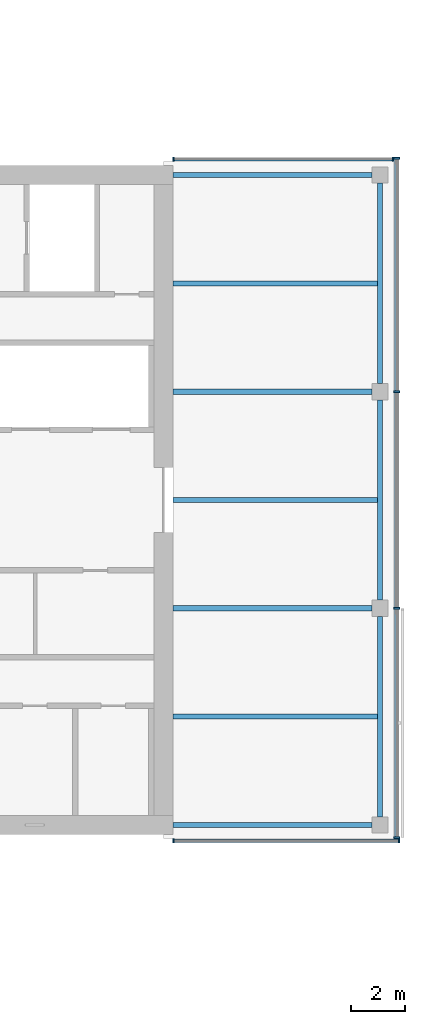
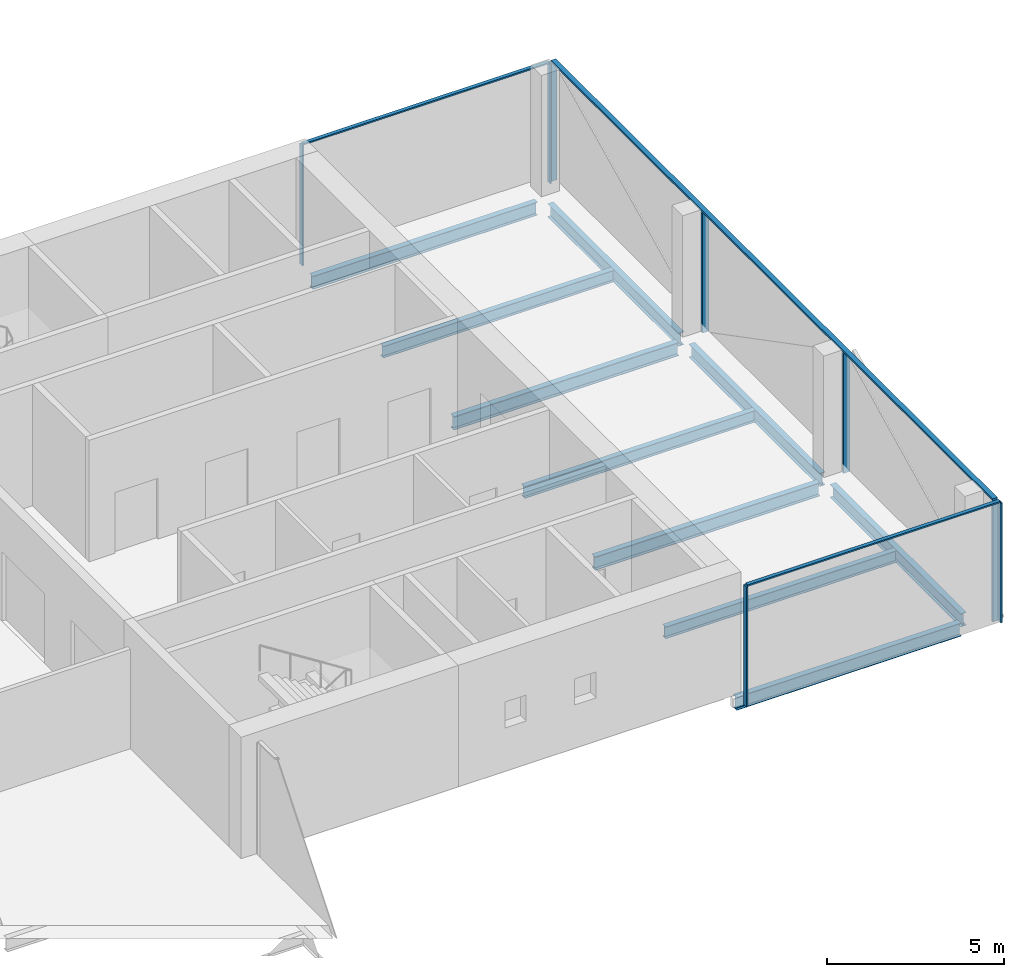
# One storey, part 11 of 22: 11 members, 10 beams, 3 elements without a shape of their own.
"""IFC4 building model written with IfcOpenShell, lengths in metres."""

import ifcopenshell
import ifcopenshell.guid

model = None  # the IFC model being written
_history = None  # IfcOwnerHistory: only IFC2X3 demands one
_inside = {}  # id of a spatial element -> (the spatial element, [elements in it])
_under = {}  # id of a project, library or spatial element -> (it, [spatial elements below it])
_declared = {}  # id of a project -> (the project, [libraries it declares])
_typed = {}  # id of a type object -> (the type object, [elements of that type])
_made_of = {}  # id of a material, layer set ... -> (it, [elements and type objects made of it])


def new_model(schema):
    """Start an empty IFC model of exactly this schema.

    Asked for "IFC4X3", IfcOpenShell would pick the latest addendum, in which some entities
    have other attributes; the version numbers below select the first issue.
    IFC2X3 requires an IfcOwnerHistory on every rooted entity: one is made here for all.
    """
    global model, _history
    if schema == "IFC4X3":
        model = ifcopenshell.file(schema_version=(4, 3, 0, 0))
    else:
        model = ifcopenshell.file(schema=schema)
    _inside.clear()
    _under.clear()
    _declared.clear()
    _typed.clear()
    _made_of.clear()
    _history = None
    if model.schema == "IFC2X3":
        org = make("IfcOrganization", Name="unknown")
        user = make(
            "IfcPersonAndOrganization",
            ThePerson=make("IfcPerson", FamilyName="unknown"),
            TheOrganization=org,
        )
        app = make(
            "IfcApplication",
            ApplicationDeveloper=org,
            Version="unknown",
            ApplicationFullName="unknown",
            ApplicationIdentifier="unknown",
        )
        _history = make(
            "IfcOwnerHistory",
            OwningUser=user,
            OwningApplication=app,
            ChangeAction="ADDED",
            CreationDate=0,
        )
    return model


def make(cls, **values):
    """One entity of the class cls with the attributes given. An attribute that is None is left unset."""
    return model.create_entity(
        cls, **{name: value for name, value in values.items() if value is not None}
    )


def rooted(cls, **values):
    """An entity with a GlobalId (a new one), such as an element, a storey or a relation."""
    return make(cls, GlobalId=ifcopenshell.guid.new(), OwnerHistory=_history, **values)


def si_unit(unit_type, name, prefix=None):
    """IfcSIUnit, for example si_unit("LENGTHUNIT", "METRE", prefix="MILLI")."""
    return make("IfcSIUnit", UnitType=unit_type, Prefix=prefix, Name=name)


def assignment(units):
    """IfcUnitAssignment: the units of a project."""
    return None if units is None else make("IfcUnitAssignment", Units=units)


def point(xyz):
    """IfcCartesianPoint."""
    return None if xyz is None else make("IfcCartesianPoint", Coordinates=xyz)


def direction(xyz):
    """IfcDirection."""
    return None if xyz is None else make("IfcDirection", DirectionRatios=xyz)


def frame(location, z_axis=None, x_axis=None):
    """IfcAxis2Placement3D, a coordinate frame: its origin and axes. An axis left out is left unset."""
    return make(
        "IfcAxis2Placement3D",
        Location=point(location),
        Axis=direction(z_axis),
        RefDirection=direction(x_axis),
    )


def frame_2d(location, x_axis=None):
    """IfcAxis2Placement2D, a coordinate frame in the plane: its origin and x axis."""
    return make(
        "IfcAxis2Placement2D", Location=point(location), RefDirection=direction(x_axis)
    )


def origin():
    """The frame at (0, 0, 0) with its axes left unset."""
    return frame((0.0, 0.0, 0.0))


def origin_2d():
    """The frame at (0, 0) in the plane with its x axis left unset."""
    return frame_2d((0.0, 0.0))


def place(relative_to, where):
    """IfcLocalPlacement: puts the frame where relative to a parent placement (None: the world)."""
    return make(
        "IfcLocalPlacement", PlacementRelTo=relative_to, RelativePlacement=where
    )


def context(
    kind, dimensions, precision=None, world=None, true_north=None, identifier=None
):
    """IfcGeometricRepresentationContext, for example the 3D "Model" context."""
    return make(
        "IfcGeometricRepresentationContext",
        ContextIdentifier=identifier,
        ContextType=kind,
        CoordinateSpaceDimension=dimensions,
        Precision=precision,
        WorldCoordinateSystem=world,
        TrueNorth=true_north,
    )


def subcontext(parent, identifier, kind, view, scale=None):
    """IfcGeometricRepresentationSubContext, for example "Body" below "Model"."""
    return make(
        "IfcGeometricRepresentationSubContext",
        ContextIdentifier=identifier,
        ContextType=kind,
        ParentContext=parent,
        TargetScale=scale,
        TargetView=view,
    )


def project(units=None, contexts=None):
    """IfcProject with its units and contexts."""
    return rooted(
        "IfcProject",
        Name="project",
        RepresentationContexts=contexts,
        UnitsInContext=assignment(units),
    )


def spatial(cls, under=None, at=None, **own):
    """A site, building, storey or space (cls), placed at a placement, below another one or the project."""
    s = rooted(cls, ObjectPlacement=at, **own)
    if under is not None:
        _under.setdefault(under.id(), (under, []))[1].append(s)
    return s


def profile(cls, at=None, kind="AREA", **sizes):
    """A parametric profile (cls). Its sizes go by their IFC names, for example OverallWidth=200.0."""
    return make(cls, ProfileType=kind, Position=at, **sizes)


def rectangle(**sizes):
    """IfcRectangleProfileDef."""
    return profile("IfcRectangleProfileDef", **sizes)


def i_section(**sizes):
    """IfcIShapeProfileDef."""
    return profile("IfcIShapeProfileDef", **sizes)


def extrude(swept, where, along, depth):
    """IfcExtrudedAreaSolid: the profile swept, set in the frame where, extruded along a direction by depth."""
    return make(
        "IfcExtrudedAreaSolid",
        SweptArea=swept,
        Position=where,
        ExtrudedDirection=direction(along),
        Depth=depth,
    )


def shape(context_of_items, identifier, shape_type, items):
    """IfcShapeRepresentation: the items that make up one representation, for example the "Body"."""
    return make(
        "IfcShapeRepresentation",
        ContextOfItems=context_of_items,
        RepresentationIdentifier=identifier,
        RepresentationType=shape_type,
        Items=items,
    )


def material(Name=None, Category=None):
    """IfcMaterial."""
    return make("IfcMaterial", Name=Name, Category=Category)


def material_profile(
    of_material, cross_section, Name=None, Category=None, Priority=None
):
    """IfcMaterialProfile: a cross section and its material."""
    return make(
        "IfcMaterialProfile",
        Name=Name,
        Material=of_material,
        Profile=cross_section,
        Priority=Priority,
        Category=Category,
    )


def profile_set(profiles, Name=None, composite=None):
    """IfcMaterialProfileSet."""
    return make(
        "IfcMaterialProfileSet",
        Name=Name,
        MaterialProfiles=profiles,
        CompositeProfile=composite,
    )


def made_of(thing, what):
    """Note that an element or type object is made of a material, layer set ...; save() writes the relation."""
    if what is not None:
        _made_of.setdefault(what.id(), (what, []))[1].append(thing)
    return thing


def type_object(cls, material=None, **own):
    """A type object (cls), such as IfcWallType, which elements share."""
    return made_of(rooted(cls, **own), material)


def element(
    cls,
    number,
    at=None,
    inside=None,
    cuts=None,
    type_object=None,
    material=None,
    context=None,
    identifier="Body",
    shape_type=None,
    held_by="IfcProductDefinitionShape",
    body=None,
    shapes=None,
    **own,
):
    """One element of the class cls, such as IfcWall. Its Tag is "e" and its number.

    at: its placement. inside: the storey or other place that contains it. cuts: it is an
    opening in that element (IfcRelVoidsElement). A single representation is given by context,
    identifier, shape_type and body (its items); several are given by shapes. held_by: the class
    of the entity that holds the representations. save() writes the other relations.
    """
    e = rooted(cls, Tag="e%d" % number, ObjectPlacement=at, **own)
    if body is not None:
        shapes = [shape(context, identifier, shape_type, body)]
    if shapes is not None:
        e.Representation = make(held_by, Representations=shapes)
    if inside is not None:
        _inside.setdefault(inside.id(), (inside, []))[1].append(e)
    if cuts is not None:
        rooted(
            "IfcRelVoidsElement", RelatingBuildingElement=cuts, RelatedOpeningElement=e
        )
    if type_object is not None:
        _typed.setdefault(type_object.id(), (type_object, []))[1].append(e)
    return made_of(e, material)


def aggregate(whole, parts):
    """IfcRelAggregates: a whole, such as a stair, and the parts it consists of."""
    return rooted("IfcRelAggregates", RelatingObject=whole, RelatedObjects=parts)


def save(model, path):
    """Write the relations noted so far, then the file.

    IfcRelAggregates (storeys below a building ...), IfcRelContainedInSpatialStructure (elements
    in a storey), IfcRelDefinesByType, IfcRelAssociatesMaterial and IfcRelDeclares: one each for
    every whole, place, type object, material and project.
    """
    for whole, parts in _under.values():
        aggregate(whole, parts)
    for where, things in _inside.values():
        rooted(
            "IfcRelContainedInSpatialStructure",
            RelatedElements=things,
            RelatingStructure=where,
        )
    for kind, things in _typed.values():
        rooted("IfcRelDefinesByType", RelatedObjects=things, RelatingType=kind)
    for what, things in _made_of.values():
        rooted("IfcRelAssociatesMaterial", RelatedObjects=things, RelatingMaterial=what)
    for by, libraries in _declared.values():
        rooted("IfcRelDeclares", RelatingContext=by, RelatedDefinitions=libraries)
    model.write(path)


model = new_model("IFC4")

# Units and contexts
model_context = context("Model", 3, precision=1e-05, world=origin(), true_north=direction((0.0, 1.0)))
body_context = subcontext(model_context, "Body", "Model", "MODEL_VIEW")
ifc_project = project(units=[si_unit("LENGTHUNIT", "METRE"), si_unit("AREAUNIT", "SQUARE_METRE"), si_unit("VOLUMEUNIT", "CUBIC_METRE"), si_unit("PLANEANGLEUNIT", "RADIAN"), si_unit("MASSUNIT", "GRAM", prefix="KILO")], contexts=[model_context])

# Site, building, storey
site_placement = place(None, origin())
site = spatial("IfcSite", under=ifc_project, at=site_placement, CompositionType="ELEMENT")
building_placement = place(site_placement, origin())
building = spatial("IfcBuilding", under=site, at=building_placement, Name="Crosswind Convention Tower", CompositionType="ELEMENT")
storey_placement = place(building_placement, frame((0.0, 0.0, 154.699951171875)))
storey = spatial("IfcBuildingStorey", under=building, at=storey_placement, Name="L32", CompositionType="ELEMENT", Elevation=154.699951171875)

# Beams
ifc_material_1 = material(Name="Steel S355", Category="steel")
ifc_material_profile_1 = material_profile(ifc_material_1, i_section(OverallWidth=0.18994140625, OverallDepth=0.45361328125, WebThickness=0.008544921875, FlangeThickness=0.0126953125, FilletRadius=0.01025390625, at=origin_2d()), Name="UB 457x191x67")
ifc_profile_set_1 = profile_set([ifc_material_profile_1], Name="Steel S355")
beam_type_1 = type_object("IfcBeamType", Name="Edge beam UB 457x191x67", PredefinedType="SPANDREL", material=ifc_profile_set_1)
for number, where, z_axis, x_axis, name in (
    (1, (153.35009765625, 88.0, -0.52685546875), (1.0, 0.0, 0.0), (0.0, 1.0, 0.0), "B16 L32 edge beam 20"),
    (2, (153.35009765625, 112.0, -0.52685546875), (1.0, 0.0, 0.0), (0.0, 1.0, 0.0), "B16 L32 edge beam 21"),
):
    element("IfcBeam", number, at=place(storey_placement, frame(where, z_axis=z_axis, x_axis=x_axis)), inside=storey, type_object=beam_type_1, Name=name, PredefinedType="SPANDREL", context=body_context, shape_type="SweptSolid", body=[
        extrude(i_section(OverallWidth=0.18994140625, OverallDepth=0.45361328125, WebThickness=0.008544921875, FlangeThickness=0.0126953125, FilletRadius=0.01025390625, at=origin_2d()), origin(), (0.0, 0.0, 1.0), 7.349853515625),
    ])
for number, where, z_axis, x_axis, name in (
    (3, (161.0, 88.300048828125, -0.52685546875), (0.0, 1.0, 0.0), (-1.0, 0.0, 0.0), "B16 L32 edge beam 22"),
    (4, (161.0, 96.300048828125, -0.52685546875), (0.0, 1.0, 0.0), (-1.0, 0.0, 0.0), "B16 L32 edge beam 23"),
    (5, (161.0, 104.300048828125, -0.52685546875), (0.0, 1.0, 0.0), (-1.0, 0.0, 0.0), "B16 L32 edge beam 24"),
):
    element("IfcBeam", number, at=place(storey_placement, frame(where, z_axis=z_axis, x_axis=x_axis)), inside=storey, type_object=beam_type_1, Name=name, PredefinedType="SPANDREL", context=body_context, shape_type="SweptSolid", body=[
        extrude(i_section(OverallWidth=0.18994140625, OverallDepth=0.45361328125, WebThickness=0.008544921875, FlangeThickness=0.0126953125, FilletRadius=0.01025390625, at=origin_2d()), origin(), (0.0, 0.0, 1.0), 7.39990234375),
    ])
ifc_material_profile_2 = material_profile(ifc_material_1, i_section(OverallWidth=0.19189453125, OverallDepth=0.463623046875, WebThickness=0.010498046875, FlangeThickness=0.017578125, FilletRadius=0.01025390625, at=origin_2d()), Name="UB 457x191x90")
ifc_profile_set_2 = profile_set([ifc_material_profile_2], Name="Steel S355")
beam_type_2 = type_object("IfcBeamType", Name="Girder at core wall UB 457x191x90", PredefinedType="BEAM", material=ifc_profile_set_2)
for number, where, z_axis, x_axis, name in (
    (6, (153.35009765625, 96.0, -0.53173828125), (1.0, 0.0, 0.0), (0.0, 1.0, 0.0), "B24 L32 girder at core wall 11"),
    (7, (153.35009765625, 104.0, -0.53173828125), (1.0, 0.0, 0.0), (0.0, 1.0, 0.0), "B24 L32 girder at core wall 12"),
):
    element("IfcBeam", number, at=place(storey_placement, frame(where, z_axis=z_axis, x_axis=x_axis)), inside=storey, type_object=beam_type_2, Name=name, PredefinedType="BEAM", context=body_context, shape_type="SweptSolid", body=[
        extrude(i_section(OverallWidth=0.19189453125, OverallDepth=0.463623046875, WebThickness=0.010498046875, FlangeThickness=0.017578125, FilletRadius=0.01025390625, at=origin_2d()), origin(), (0.0, 0.0, 1.0), 7.349853515625),
    ])

# Curtain wall, members
ifc_material_2 = material(Name="Aluminium unitised curtain wall", Category="aluminium")
curtain_wall_type_1 = type_object("IfcCurtainWallType", Name="CORE END SLOT WALL 160", PredefinedType="USERDEFINED", material=ifc_material_2)
curtain_wall_1_placement = place(storey_placement, origin())
curtain_wall_1 = element("IfcCurtainWall", 8, at=curtain_wall_1_placement, inside=storey, type_object=curtain_wall_type_1, Name="CW6 L32 E-N.1-1 slot", ObjectType="UNITISED", PredefinedType="USERDEFINED")
ifc_material_3 = material(Name="Aluminium mullion", Category="aluminium")
ifc_material_profile_3 = material_profile(ifc_material_3, rectangle(XDim=0.159912109375, YDim=0.050048828125, at=origin_2d()), Name="AL 160X50")
ifc_profile_set_3 = profile_set([ifc_material_profile_3], Name="Aluminium mullion")
member_type_1 = type_object("IfcMemberType", Name="MULLION 50X160", PredefinedType="MULLION", material=ifc_profile_set_3)
member_1_placement = place(storey_placement, frame((161.47509765625, 112.580078125, -0.300048828125), z_axis=(0.0, 0.0, 1.0), x_axis=(0.0, 1.0, 0.0)))
member_1 = element("IfcMember", 9, at=member_1_placement, type_object=member_type_1, Name="CW6 mullion 1", PredefinedType="MULLION", context=body_context, shape_type="SweptSolid", body=[
    extrude(rectangle(XDim=0.159912109375, YDim=0.050048828125, at=origin_2d()), origin(), (0.0, 0.0, 1.0), 4.150146484375),
])
member_2_placement = place(storey_placement, frame((153.375, 112.580078125, -0.300048828125), z_axis=(0.0, 0.0, 1.0), x_axis=(0.0, 1.0, 0.0)))
member_2 = element("IfcMember", 10, at=member_2_placement, type_object=member_type_1, Name="CW6 mullion 2", PredefinedType="MULLION", context=body_context, shape_type="SweptSolid", body=[
    extrude(rectangle(XDim=0.159912109375, YDim=0.050048828125, at=origin_2d()), origin(), (0.0, 0.0, 1.0), 4.150146484375),
])

curtain_wall_2_placement = place(storey_placement, origin())
curtain_wall_2 = element("IfcCurtainWall", 11, at=curtain_wall_2_placement, inside=storey, type_object=curtain_wall_type_1, Name="CW6 L32 E-S.2-1 slot", ObjectType="UNITISED", PredefinedType="USERDEFINED")
member_3_placement = place(storey_placement, frame((153.375, 87.419921875, -0.300048828125), z_axis=(0.0, 0.0, 1.0), x_axis=(0.0, -1.0, 0.0)))
member_3 = element("IfcMember", 12, at=member_3_placement, type_object=member_type_1, Name="CW6 mullion 1", PredefinedType="MULLION", context=body_context, shape_type="SweptSolid", body=[
    extrude(rectangle(XDim=0.159912109375, YDim=0.050048828125, at=origin_2d()), origin(), (0.0, 0.0, 1.0), 4.150146484375),
])
member_4_placement = place(storey_placement, frame((161.695068359375, 87.419921875, -0.300048828125), z_axis=(0.0, 0.0, 1.0), x_axis=(0.0, -1.0, 0.0)))
member_4 = element("IfcMember", 13, at=member_4_placement, type_object=member_type_1, Name="CW6 mullion 2", PredefinedType="MULLION", context=body_context, shape_type="SweptSolid", body=[
    extrude(rectangle(XDim=0.159912109375, YDim=0.050048828125, at=origin_2d()), origin(), (0.0, 0.0, 1.0), 4.150146484375),
])

curtain_wall_type_2 = type_object("IfcCurtainWallType", Name="OFFICE UNITISED WALL 220", PredefinedType="USERDEFINED", material=ifc_material_2)
curtain_wall_3_placement = place(storey_placement, origin())
curtain_wall_3 = element("IfcCurtainWall", 14, at=curtain_wall_3_placement, inside=storey, type_object=curtain_wall_type_2, Name="CW3 L32 E-TIP 1", ObjectType="UNITISED", PredefinedType="USERDEFINED")
ifc_material_profile_4 = material_profile(ifc_material_3, rectangle(XDim=0.219970703125, YDim=0.070068359375, at=origin_2d()), Name="AL 220X70")
ifc_profile_set_4 = profile_set([ifc_material_profile_4], Name="Aluminium mullion")
member_type_2 = type_object("IfcMemberType", Name="MULLION 70X220", PredefinedType="MULLION", material=ifc_profile_set_4)
member_5_placement = place(storey_placement, frame((161.610107421875, 87.534912109375, -0.300048828125), z_axis=(0.0, 0.0, 1.0), x_axis=(1.0, 0.0, 0.0)))
member_5 = element("IfcMember", 15, at=member_5_placement, type_object=member_type_2, Name="CW3 mullion 1", PredefinedType="MULLION", context=body_context, shape_type="SweptSolid", body=[
    extrude(rectangle(XDim=0.219970703125, YDim=0.070068359375, at=origin_2d()), origin(), (0.0, 0.0, 1.0), 4.130126953125),
])
member_6_placement = place(storey_placement, frame((161.610107421875, 96.0, -0.300048828125), z_axis=(0.0, 0.0, 1.0), x_axis=(1.0, 0.0, 0.0)))
member_6 = element("IfcMember", 16, at=member_6_placement, type_object=member_type_2, Name="CW3 mullion 2", PredefinedType="MULLION", context=body_context, shape_type="SweptSolid", body=[
    extrude(rectangle(XDim=0.219970703125, YDim=0.070068359375, at=origin_2d()), origin(), (0.0, 0.0, 1.0), 4.130126953125),
])
member_7_placement = place(storey_placement, frame((161.610107421875, 104.0, -0.300048828125), z_axis=(0.0, 0.0, 1.0), x_axis=(1.0, 0.0, 0.0)))
member_7 = element("IfcMember", 17, at=member_7_placement, type_object=member_type_2, Name="CW3 mullion 3", PredefinedType="MULLION", context=body_context, shape_type="SweptSolid", body=[
    extrude(rectangle(XDim=0.219970703125, YDim=0.070068359375, at=origin_2d()), origin(), (0.0, 0.0, 1.0), 4.130126953125),
])
member_8_placement = place(storey_placement, frame((161.610107421875, 112.625, -0.300048828125), z_axis=(0.0, 0.0, 1.0), x_axis=(1.0, 0.0, 0.0)))
member_8 = element("IfcMember", 18, at=member_8_placement, type_object=member_type_2, Name="CW3 mullion 4", PredefinedType="MULLION", context=body_context, shape_type="SweptSolid", body=[
    extrude(rectangle(XDim=0.219970703125, YDim=0.070068359375, at=origin_2d()), origin(), (0.0, 0.0, 1.0), 4.130126953125),
])

# Beams
ifc_material_profile_5 = material_profile(ifc_material_1, i_section(OverallWidth=0.177734375, OverallDepth=0.406494140625, WebThickness=0.0078125, FlangeThickness=0.0126953125, FilletRadius=0.01025390625, at=origin_2d()), Name="UB 406x178x60")
ifc_profile_set_5 = profile_set([ifc_material_profile_5], Name="Steel S355")
beam_type_3 = type_object("IfcBeamType", Name="Secondary beam UB 406x178x60", PredefinedType="JOIST", material=ifc_profile_set_5)
for number, where, z_axis, x_axis, name in (
    (19, (153.35009765625, 92.0, -0.503173828125), (1.0, 0.0, 0.0), (0.0, 1.0, 0.0), "B10 L32 secondary beam 25"),
    (20, (153.35009765625, 100.0, -0.503173828125), (1.0, 0.0, 0.0), (0.0, 1.0, 0.0), "B10 L32 secondary beam 26"),
    (21, (153.35009765625, 108.0, -0.503173828125), (1.0, 0.0, 0.0), (0.0, 1.0, 0.0), "B10 L32 secondary beam 27"),
):
    element("IfcBeam", number, at=place(storey_placement, frame(where, z_axis=z_axis, x_axis=x_axis)), inside=storey, type_object=beam_type_3, Name=name, PredefinedType="JOIST", context=body_context, shape_type="SweptSolid", body=[
        extrude(i_section(OverallWidth=0.177734375, OverallDepth=0.406494140625, WebThickness=0.0078125, FlangeThickness=0.0126953125, FilletRadius=0.01025390625, at=origin_2d()), origin(), (0.0, 0.0, 1.0), 7.554931640625),
    ])

# Member
ifc_material_4 = material(Name="Aluminium transom", Category="aluminium")
ifc_material_profile_6 = material_profile(ifc_material_4, rectangle(XDim=0.1201171875, YDim=0.050048828125, at=origin_2d()), Name="AL 120X50")
ifc_profile_set_6 = profile_set([ifc_material_profile_6], Name="Aluminium transom")
member_type_3 = type_object("IfcMemberType", Name="TRANSOM 50X120", PredefinedType="USERDEFINED", material=ifc_profile_set_6)
member_9_placement = place(storey_placement, frame((161.449951171875, 112.580078125, 3.875), z_axis=(-1.0, 0.0, 0.0), x_axis=(0.0, -1.0, 0.0)))
member_9 = element("IfcMember", 22, at=member_9_placement, type_object=member_type_3, Name="CW6 transom", ObjectType="TRANSOM", PredefinedType="USERDEFINED", context=body_context, shape_type="SweptSolid", body=[
    extrude(rectangle(XDim=0.1201171875, YDim=0.050048828125, at=origin_2d()), origin(), (0.0, 0.0, 1.0), 8.050048828125),
])

aggregate(curtain_wall_1, [member_1, member_2, member_9])

member_10_placement = place(storey_placement, frame((153.39990234375, 87.419921875, 3.875), z_axis=(1.0, 0.0, 0.0), x_axis=(0.0, 1.0, 0.0)))
member_10 = element("IfcMember", 23, at=member_10_placement, type_object=member_type_3, Name="CW6 transom", ObjectType="TRANSOM", PredefinedType="USERDEFINED", context=body_context, shape_type="SweptSolid", body=[
    extrude(rectangle(XDim=0.1201171875, YDim=0.050048828125, at=origin_2d()), origin(), (0.0, 0.0, 1.0), 8.27001953125),
])

aggregate(curtain_wall_2, [member_3, member_4, member_10])

ifc_material_profile_7 = material_profile(ifc_material_4, rectangle(XDim=0.159912109375, YDim=0.070068359375, at=origin_2d()), Name="AL 160X70")
ifc_profile_set_7 = profile_set([ifc_material_profile_7], Name="Aluminium transom")
member_type_4 = type_object("IfcMemberType", Name="TRANSOM 70X160", PredefinedType="USERDEFINED", material=ifc_profile_set_7)
member_11_placement = place(storey_placement, frame((161.610107421875, 87.570068359375, 3.864990234375), z_axis=(0.0, 1.0, 0.0), x_axis=(-1.0, 0.0, 0.0)))
member_11 = element("IfcMember", 24, at=member_11_placement, type_object=member_type_4, Name="CW3 transom", ObjectType="TRANSOM", PredefinedType="USERDEFINED", context=body_context, shape_type="SweptSolid", body=[
    extrude(rectangle(XDim=0.159912109375, YDim=0.070068359375, at=origin_2d()), origin(), (0.0, 0.0, 1.0), 25.02001953125),
])

aggregate(curtain_wall_3, [member_5, member_6, member_7, member_8, member_11])

save(model, "model.ifc")
